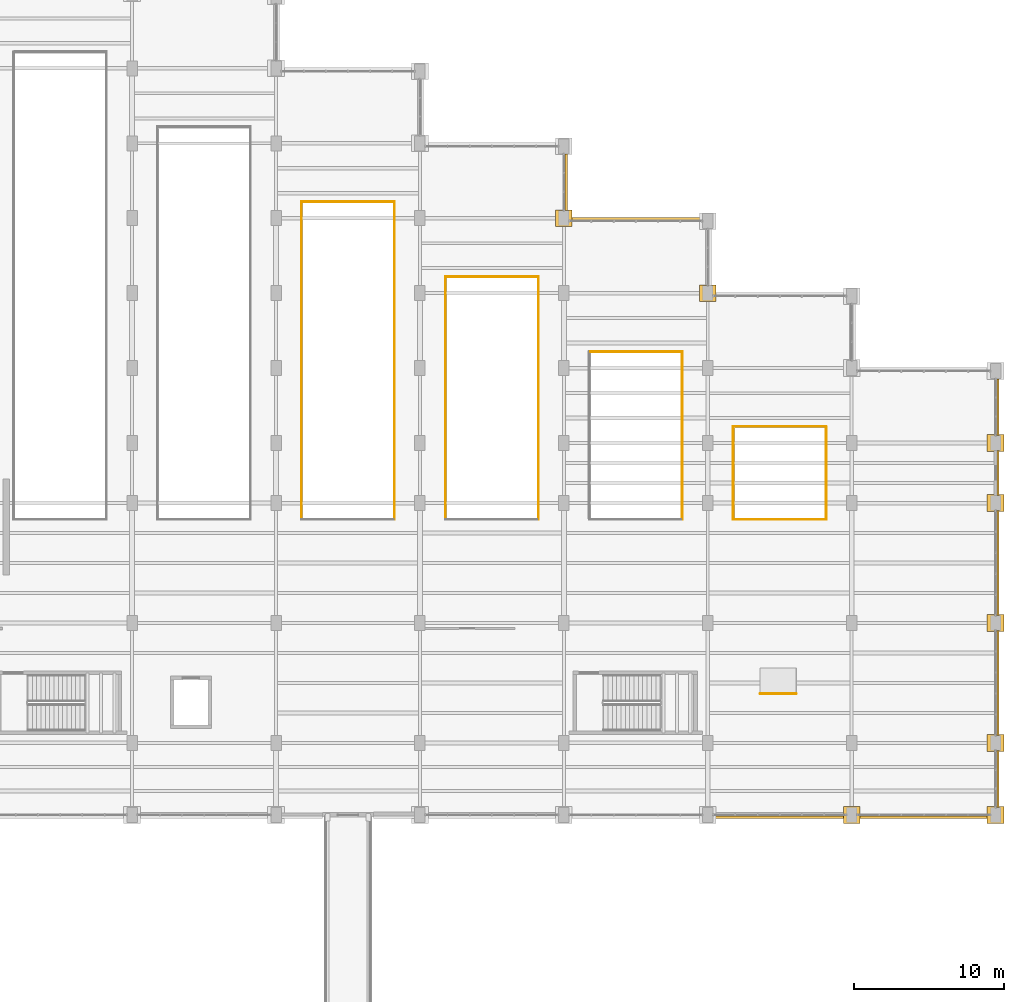
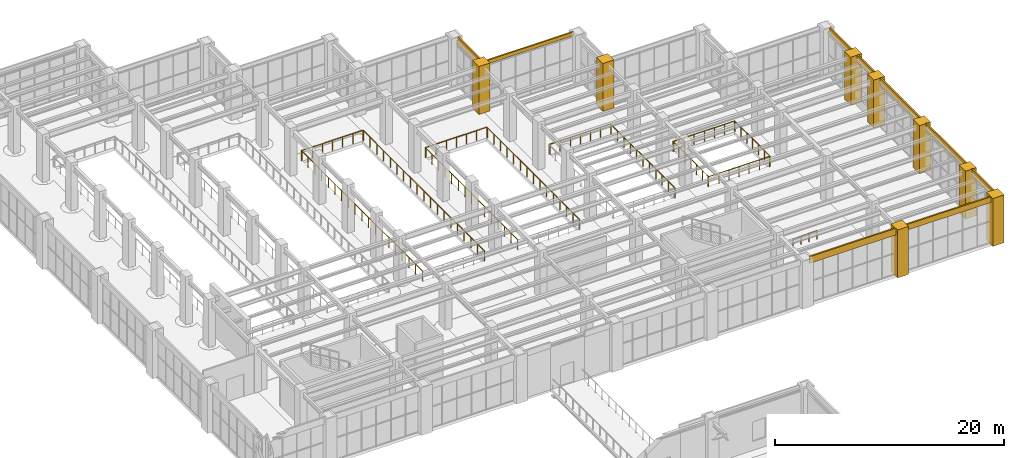
# One storey, part 173 of 174: 17 coverings, 13 railings.
"""IFC4 building model written with IfcOpenShell, lengths in metres."""

from ifc_helpers import new_model, si_unit, direction, frame, origin, origin_2d, place, context, subcontext, project, spatial, polyline, circle, outline, extrude, material, layer, layer_set, type_object, element, save


model = new_model("IFC4")

# Units and contexts
model_context = context("Model", 3, precision=1e-05, world=origin(), true_north=direction((0.0, 1.0)))
body_context = subcontext(model_context, "Body", "Model", "MODEL_VIEW")
ifc_project = project(units=[si_unit("LENGTHUNIT", "METRE"), si_unit("AREAUNIT", "SQUARE_METRE"), si_unit("VOLUMEUNIT", "CUBIC_METRE"), si_unit("PLANEANGLEUNIT", "RADIAN"), si_unit("MASSUNIT", "GRAM", prefix="KILO")], contexts=[model_context])

# Site, building, storey
site_placement = place(None, origin())
site = spatial("IfcSite", under=ifc_project, at=site_placement, CompositionType="ELEMENT")
building_placement = place(site_placement, origin())
building = spatial("IfcBuilding", under=site, at=building_placement, Name="Mavantir Sound Aquarium", CompositionType="ELEMENT")
storey_placement = place(building_placement, frame((0.0, 0.0, 5.39990234375)))
storey = spatial("IfcBuildingStorey", under=building, at=storey_placement, Name="L01", CompositionType="ELEMENT", Elevation=5.39990234375)

# Coverings
ifc_material_1 = material(Name="Honed Coral-Limestone & Glazed Terracotta Rainscreen Cladding", Category="masonry")
ifc_layer = layer(ifc_material_1, 0.06005859375, Name="Honed Coral-Limestone & Glazed Terracotta Rainscreen Cladding")
ifc_layer_set = layer_set([ifc_layer], Name="Honed Coral-Limestone & Glazed Terracotta Rainscreen Cladding")
covering_type = type_object("IfcCoveringType", Name="COV-CLAD-TC", PredefinedType="CLADDING", material=ifc_layer_set)
covering_1_placement = place(storey_placement, frame((0.0, 0.0, 4.22705078125)))
element("IfcCovering", 1, at=covering_1_placement, inside=storey, type_object=covering_type, Name="L01 Postmodern coral-limestone spandrel frieze 208", PredefinedType="CLADDING", context=body_context, shape_type="SweptSolid", body=[
    extrude(outline(polyline([(146.489990234375, 76.30810546875), (146.489990234375, 80.092041015625), (146.639892578125, 80.092041015625), (146.639892578125, 76.30810546875), (146.489990234375, 76.30810546875)])), origin(), (0.0, 0.0, 1.0), 0.873046875),
])
covering_2_placement = place(storey_placement, frame((0.0, 0.0, 4.38818359375)))
element("IfcCovering", 2, at=covering_2_placement, inside=storey, type_object=covering_type, Name="L01 Postmodern coral-limestone spandrel frieze 231", PredefinedType="CLADDING", context=body_context, shape_type="SweptSolid", body=[
    extrude(outline(polyline([(156.35791015625, 35.909912109375), (165.241943359375, 35.909912109375), (165.241943359375, 35.760009765625), (156.35791015625, 35.760009765625), (156.35791015625, 35.909912109375)])), origin(), (0.0, 0.0, 1.0), 0.7119140625),
])
covering_3_placement = place(storey_placement, frame((0.0, 0.0, 4.4931640625)))
element("IfcCovering", 3, at=covering_3_placement, inside=storey, type_object=covering_type, Name="L01 Postmodern coral-limestone spandrel frieze 232", PredefinedType="CLADDING", context=body_context, shape_type="SweptSolid", body=[
    extrude(outline(polyline([(165.9580078125, 35.909912109375), (174.842041015625, 35.909912109375), (174.842041015625, 35.760009765625), (165.9580078125, 35.760009765625), (165.9580078125, 35.909912109375)])), origin(), (0.0, 0.0, 1.0), 0.60693359375),
])
covering_4_placement = place(storey_placement, frame((0.0, 0.0, 4.343017578125)))
element("IfcCovering", 4, at=covering_4_placement, inside=storey, type_object=covering_type, Name="L01 Postmodern coral-limestone spandrel frieze 233", PredefinedType="CLADDING", context=body_context, shape_type="SweptSolid", body=[
    extrude(outline(polyline([(175.2900390625, 36.508056640625), (175.2900390625, 40.2919921875), (175.43994140625, 40.2919921875), (175.43994140625, 36.508056640625), (175.2900390625, 36.508056640625)])), origin(), (0.0, 0.0, 1.0), 0.757080078125),
])
covering_5_placement = place(storey_placement, frame((0.0, 0.0, 4.30908203125)))
element("IfcCovering", 5, at=covering_5_placement, inside=storey, type_object=covering_type, Name="L01 Postmodern coral-limestone spandrel frieze 234", PredefinedType="CLADDING", context=body_context, shape_type="SweptSolid", body=[
    extrude(outline(polyline([(175.2900390625, 41.30810546875), (175.2900390625, 48.2919921875), (175.43994140625, 48.2919921875), (175.43994140625, 41.30810546875), (175.2900390625, 41.30810546875)])), origin(), (0.0, 0.0, 1.0), 0.791015625),
])
covering_6_placement = place(storey_placement, frame((0.0, 0.0, 4.30908203125)))
element("IfcCovering", 6, at=covering_6_placement, inside=storey, type_object=covering_type, Name="L01 Postmodern coral-limestone spandrel frieze 235", PredefinedType="CLADDING", context=body_context, shape_type="SweptSolid", body=[
    extrude(outline(polyline([(175.2900390625, 49.30810546875), (175.2900390625, 56.2919921875), (175.43994140625, 56.2919921875), (175.43994140625, 49.30810546875), (175.2900390625, 49.30810546875)])), origin(), (0.0, 0.0, 1.0), 0.791015625),
])
covering_7_placement = place(storey_placement, frame((0.0, 0.0, 4.30908203125)))
element("IfcCovering", 7, at=covering_7_placement, inside=storey, type_object=covering_type, Name="L01 Postmodern coral-limestone spandrel frieze 236", PredefinedType="CLADDING", context=body_context, shape_type="SweptSolid", body=[
    extrude(outline(polyline([(175.2900390625, 57.30810546875), (175.2900390625, 60.2919921875), (175.43994140625, 60.2919921875), (175.43994140625, 57.30810546875), (175.2900390625, 57.30810546875)])), origin(), (0.0, 0.0, 1.0), 0.791015625),
])
covering_8_placement = place(storey_placement, frame((0.0, 0.0, 4.39599609375)))
element("IfcCovering", 8, at=covering_8_placement, inside=storey, type_object=covering_type, Name="L01 Postmodern coral-limestone spandrel frieze 237", PredefinedType="CLADDING", context=body_context, shape_type="SweptSolid", body=[
    extrude(outline(polyline([(175.2900390625, 61.30810546875), (175.2900390625, 65.092041015625), (175.43994140625, 65.092041015625), (175.43994140625, 61.30810546875), (175.2900390625, 61.30810546875)])), origin(), (0.0, 0.0, 1.0), 0.7041015625),
])
covering_9_placement = place(storey_placement, frame((0.0, 0.0, 4.710205078125)))
element("IfcCovering", 9, at=covering_9_placement, inside=storey, type_object=covering_type, Name="L01 Postmodern coral-limestone spandrel frieze 242", PredefinedType="CLADDING", context=body_context, shape_type="SweptSolid", body=[
    extrude(outline(polyline([(155.64208984375, 75.68994140625), (146.758056640625, 75.68994140625), (146.758056640625, 75.840087890625), (155.64208984375, 75.840087890625), (155.64208984375, 75.68994140625)])), origin(), (0.0, 0.0, 1.0), 0.389892578125),
])
covering_10_placement = place(storey_placement, origin())
element("IfcCovering", 10, at=covering_10_placement, inside=storey, type_object=covering_type, Name="L01 Postmodern coral-limestone pilaster casing 294", PredefinedType="CLADDING", context=body_context, shape_type="SweptSolid", body=[
    extrude(outline(polyline([(145.840087890625, 75.239990234375), (146.9599609375, 75.239990234375), (146.9599609375, 76.360107421875), (145.840087890625, 76.360107421875), (145.840087890625, 75.239990234375)])), origin(), (0.0, 0.0, 1.0), 5.10009765625),
])
covering_11_placement = place(storey_placement, origin())
element("IfcCovering", 11, at=covering_11_placement, inside=storey, type_object=covering_type, Name="L01 Postmodern coral-limestone pilaster casing 306", PredefinedType="CLADDING", context=body_context, shape_type="SweptSolid", body=[
    extrude(outline(polyline([(155.43994140625, 70.239990234375), (156.56005859375, 70.239990234375), (156.56005859375, 71.360107421875), (155.43994140625, 71.360107421875), (155.43994140625, 70.239990234375)])), origin(), (0.0, 0.0, 1.0), 5.10009765625),
])
covering_12_placement = place(storey_placement, origin())
element("IfcCovering", 12, at=covering_12_placement, inside=storey, type_object=covering_type, Name="L01 Postmodern coral-limestone pilaster casing 312", PredefinedType="CLADDING", context=body_context, shape_type="SweptSolid", body=[
    extrude(outline(polyline([(165.0400390625, 35.43994140625), (166.159912109375, 35.43994140625), (166.159912109375, 36.56005859375), (165.0400390625, 36.56005859375), (165.0400390625, 35.43994140625)])), origin(), (0.0, 0.0, 1.0), 5.10009765625),
])
covering_13_placement = place(storey_placement, origin())
element("IfcCovering", 13, at=covering_13_placement, inside=storey, type_object=covering_type, Name="L01 Postmodern coral-limestone pilaster casing 324", PredefinedType="CLADDING", context=body_context, shape_type="SweptSolid", body=[
    extrude(outline(polyline([(174.639892578125, 35.43994140625), (175.760009765625, 35.43994140625), (175.760009765625, 36.56005859375), (174.639892578125, 36.56005859375), (174.639892578125, 35.43994140625)])), origin(), (0.0, 0.0, 1.0), 5.10009765625),
])
covering_14_placement = place(storey_placement, origin())
element("IfcCovering", 14, at=covering_14_placement, inside=storey, type_object=covering_type, Name="L01 Postmodern coral-limestone pilaster casing 326", PredefinedType="CLADDING", context=body_context, shape_type="SweptSolid", body=[
    extrude(outline(polyline([(174.639892578125, 40.239990234375), (175.760009765625, 40.239990234375), (175.760009765625, 41.360107421875), (174.639892578125, 41.360107421875), (174.639892578125, 40.239990234375)])), origin(), (0.0, 0.0, 1.0), 5.10009765625),
])
covering_15_placement = place(storey_placement, origin())
element("IfcCovering", 15, at=covering_15_placement, inside=storey, type_object=covering_type, Name="L01 Postmodern coral-limestone pilaster casing 330", PredefinedType="CLADDING", context=body_context, shape_type="SweptSolid", body=[
    extrude(outline(polyline([(174.639892578125, 48.239990234375), (175.760009765625, 48.239990234375), (175.760009765625, 49.360107421875), (174.639892578125, 49.360107421875), (174.639892578125, 48.239990234375)])), origin(), (0.0, 0.0, 1.0), 5.10009765625),
])
covering_16_placement = place(storey_placement, origin())
element("IfcCovering", 16, at=covering_16_placement, inside=storey, type_object=covering_type, Name="L01 Postmodern coral-limestone pilaster casing 334", PredefinedType="CLADDING", context=body_context, shape_type="SweptSolid", body=[
    extrude(outline(polyline([(174.639892578125, 56.239990234375), (175.760009765625, 56.239990234375), (175.760009765625, 57.360107421875), (174.639892578125, 57.360107421875), (174.639892578125, 56.239990234375)])), origin(), (0.0, 0.0, 1.0), 5.10009765625),
])
covering_17_placement = place(storey_placement, origin())
element("IfcCovering", 17, at=covering_17_placement, inside=storey, type_object=covering_type, Name="L01 Postmodern coral-limestone pilaster casing 338", PredefinedType="CLADDING", context=body_context, shape_type="SweptSolid", body=[
    extrude(outline(polyline([(174.639892578125, 60.239990234375), (175.760009765625, 60.239990234375), (175.760009765625, 61.360107421875), (174.639892578125, 61.360107421875), (174.639892578125, 60.239990234375)])), origin(), (0.0, 0.0, 1.0), 5.10009765625),
])

# Railings
ifc_material_2 = material(Name="Stainless Steel 316 and Laminated Glass Guardrail", Category="steel")
railing_type_1 = type_object("IfcRailingType", Name="RL-GUARD-110", PredefinedType="GUARDRAIL", material=ifc_material_2)
railing_1_placement = place(storey_placement, frame((135.10009765625, 55.699951171875, 0.0)))
element("IfcRailing", 18, at=railing_1_placement, inside=storey, type_object=railing_type_1, Name="L01 atrium void E guardrail 108", PredefinedType="GUARDRAIL", context=body_context, shape_type="SweptSolid", body=[
    extrude(circle(Radius=0.02392578125, at=origin_2d()), frame((0.0, 0.0, 1.076171875), z_axis=(0.0, 1.0, 0.0), x_axis=(-1.0, 0.0, 0.0)), (0.0, 0.0, 1.0), 21.1201171875),
    extrude(circle(Radius=0.02099609375, at=origin_2d()), origin(), (0.0, 0.0, 1.0), 1.052001953125),
    extrude(circle(Radius=0.02099609375, at=origin_2d()), frame((0.0, 1.17333984375, 0.0)), (0.0, 0.0, 1.0), 1.052001953125),
    extrude(circle(Radius=0.02099609375, at=origin_2d()), frame((0.0, 2.3466796875, 0.0)), (0.0, 0.0, 1.0), 1.052001953125),
    extrude(circle(Radius=0.02099609375, at=origin_2d()), frame((0.0, 3.52001953125, 0.0)), (0.0, 0.0, 1.0), 1.052001953125),
    extrude(circle(Radius=0.02099609375, at=origin_2d()), frame((0.0, 4.693359375, 0.0)), (0.0, 0.0, 1.0), 1.052001953125),
    extrude(circle(Radius=0.02099609375, at=origin_2d()), frame((0.0, 5.86669921875, 0.0)), (0.0, 0.0, 1.0), 1.052001953125),
    extrude(circle(Radius=0.02099609375, at=origin_2d()), frame((0.0, 7.0400390625, 0.0)), (0.0, 0.0, 1.0), 1.052001953125),
    extrude(circle(Radius=0.02099609375, at=origin_2d()), frame((0.0, 8.21337890625, 0.0)), (0.0, 0.0, 1.0), 1.052001953125),
    extrude(circle(Radius=0.02099609375, at=origin_2d()), frame((0.0, 9.38671875, 0.0)), (0.0, 0.0, 1.0), 1.052001953125),
    extrude(circle(Radius=0.02099609375, at=origin_2d()), frame((0.0, 10.56005859375, 0.0)), (0.0, 0.0, 1.0), 1.052001953125),
    extrude(circle(Radius=0.02099609375, at=origin_2d()), frame((0.0, 11.7333984375, 0.0)), (0.0, 0.0, 1.0), 1.052001953125),
    extrude(circle(Radius=0.02099609375, at=origin_2d()), frame((0.0, 12.90673828125, 0.0)), (0.0, 0.0, 1.0), 1.052001953125),
    extrude(circle(Radius=0.02099609375, at=origin_2d()), frame((0.0, 14.080078125, 0.0)), (0.0, 0.0, 1.0), 1.052001953125),
    extrude(circle(Radius=0.02099609375, at=origin_2d()), frame((0.0, 15.25341796875, 0.0)), (0.0, 0.0, 1.0), 1.052001953125),
    extrude(circle(Radius=0.02099609375, at=origin_2d()), frame((0.0, 16.4267578125, 0.0)), (0.0, 0.0, 1.0), 1.052001953125),
    extrude(circle(Radius=0.02099609375, at=origin_2d()), frame((0.0, 17.60009765625, 0.0)), (0.0, 0.0, 1.0), 1.052001953125),
    extrude(circle(Radius=0.02099609375, at=origin_2d()), frame((0.0, 18.7734375, 0.0)), (0.0, 0.0, 1.0), 1.052001953125),
    extrude(circle(Radius=0.02099609375, at=origin_2d()), frame((0.0, 19.94677734375, 0.0)), (0.0, 0.0, 1.0), 1.052001953125),
    extrude(circle(Radius=0.02099609375, at=origin_2d()), frame((0.0, 21.1201171875, 0.0)), (0.0, 0.0, 1.0), 1.052001953125),
])
railing_2_placement = place(storey_placement, frame((135.10009765625, 76.89990234375, 0.0)))
element("IfcRailing", 19, at=railing_2_placement, inside=storey, type_object=railing_type_1, Name="L01 atrium void N guardrail 109", PredefinedType="GUARDRAIL", context=body_context, shape_type="SweptSolid", body=[
    extrude(circle(Radius=0.02392578125, at=origin_2d()), frame((0.0, 0.0, 1.076171875), z_axis=(-1.0, 0.0, 0.0), x_axis=(0.0, -1.0, 0.0)), (0.0, 0.0, 1.0), 6.1201171875),
    extrude(circle(Radius=0.02099609375, at=origin_2d()), origin(), (0.0, 0.0, 1.0), 1.052001953125),
    extrude(circle(Radius=0.02099609375, at=origin_2d()), frame((-1.02001953125, 0.0, 0.0)), (0.0, 0.0, 1.0), 1.052001953125),
    extrude(circle(Radius=0.02099609375, at=origin_2d()), frame((-2.0400390625, 0.0, 0.0)), (0.0, 0.0, 1.0), 1.052001953125),
    extrude(circle(Radius=0.02099609375, at=origin_2d()), frame((-3.06005859375, 0.0, 0.0)), (0.0, 0.0, 1.0), 1.052001953125),
    extrude(circle(Radius=0.02099609375, at=origin_2d()), frame((-4.080078125, 0.0, 0.0)), (0.0, 0.0, 1.0), 1.052001953125),
    extrude(circle(Radius=0.02099609375, at=origin_2d()), frame((-5.10009765625, 0.0, 0.0)), (0.0, 0.0, 1.0), 1.052001953125),
    extrude(circle(Radius=0.02099609375, at=origin_2d()), frame((-6.1201171875, 0.0, 0.0)), (0.0, 0.0, 1.0), 1.052001953125),
])
railing_3_placement = place(storey_placement, frame((128.89990234375, 76.89990234375, 0.0)))
element("IfcRailing", 20, at=railing_3_placement, inside=storey, type_object=railing_type_1, Name="L01 atrium void W guardrail 110", PredefinedType="GUARDRAIL", context=body_context, shape_type="SweptSolid", body=[
    extrude(circle(Radius=0.02392578125, at=origin_2d()), frame((0.0, 0.0, 1.076171875), z_axis=(0.0, -1.0, 0.0), x_axis=(1.0, 0.0, 0.0)), (0.0, 0.0, 1.0), 21.119873046875),
    extrude(circle(Radius=0.02099609375, at=origin_2d()), origin(), (0.0, 0.0, 1.0), 1.052001953125),
    extrude(circle(Radius=0.02099609375, at=origin_2d()), frame((0.0, -1.17333984375, 0.0)), (0.0, 0.0, 1.0), 1.052001953125),
    extrude(circle(Radius=0.02099609375, at=origin_2d()), frame((0.0, -2.3466796875, 0.0)), (0.0, 0.0, 1.0), 1.052001953125),
    extrude(circle(Radius=0.02099609375, at=origin_2d()), frame((0.0, -3.52001953125, 0.0)), (0.0, 0.0, 1.0), 1.052001953125),
    extrude(circle(Radius=0.02099609375, at=origin_2d()), frame((0.0, -4.693359375, 0.0)), (0.0, 0.0, 1.0), 1.052001953125),
    extrude(circle(Radius=0.02099609375, at=origin_2d()), frame((0.0, -5.86669921875, 0.0)), (0.0, 0.0, 1.0), 1.052001953125),
    extrude(circle(Radius=0.02099609375, at=origin_2d()), frame((0.0, -7.0400390625, 0.0)), (0.0, 0.0, 1.0), 1.052001953125),
    extrude(circle(Radius=0.02099609375, at=origin_2d()), frame((0.0, -8.21337890625, 0.0)), (0.0, 0.0, 1.0), 1.052001953125),
    extrude(circle(Radius=0.02099609375, at=origin_2d()), frame((0.0, -9.38671875, 0.0)), (0.0, 0.0, 1.0), 1.052001953125),
    extrude(circle(Radius=0.02099609375, at=origin_2d()), frame((0.0, -10.56005859375, 0.0)), (0.0, 0.0, 1.0), 1.052001953125),
    extrude(circle(Radius=0.02099609375, at=origin_2d()), frame((0.0, -11.733154296875, 0.0)), (0.0, 0.0, 1.0), 1.052001953125),
    extrude(circle(Radius=0.02099609375, at=origin_2d()), frame((0.0, -12.906494140625, 0.0)), (0.0, 0.0, 1.0), 1.052001953125),
    extrude(circle(Radius=0.02099609375, at=origin_2d()), frame((0.0, -14.079833984375, 0.0)), (0.0, 0.0, 1.0), 1.052001953125),
    extrude(circle(Radius=0.02099609375, at=origin_2d()), frame((0.0, -15.253173828125, 0.0)), (0.0, 0.0, 1.0), 1.052001953125),
    extrude(circle(Radius=0.02099609375, at=origin_2d()), frame((0.0, -16.426513671875, 0.0)), (0.0, 0.0, 1.0), 1.052001953125),
    extrude(circle(Radius=0.02099609375, at=origin_2d()), frame((0.0, -17.599853515625, 0.0)), (0.0, 0.0, 1.0), 1.052001953125),
    extrude(circle(Radius=0.02099609375, at=origin_2d()), frame((0.0, -18.773193359375, 0.0)), (0.0, 0.0, 1.0), 1.052001953125),
    extrude(circle(Radius=0.02099609375, at=origin_2d()), frame((0.0, -19.946533203125, 0.0)), (0.0, 0.0, 1.0), 1.052001953125),
    extrude(circle(Radius=0.02099609375, at=origin_2d()), frame((0.0, -21.119873046875, 0.0)), (0.0, 0.0, 1.0), 1.052001953125),
])
railing_4_placement = place(storey_placement, frame((144.699951171875, 55.699951171875, 0.0)))
element("IfcRailing", 21, at=railing_4_placement, inside=storey, type_object=railing_type_1, Name="L01 atrium void E guardrail 112", PredefinedType="GUARDRAIL", context=body_context, shape_type="SweptSolid", body=[
    extrude(circle(Radius=0.02392578125, at=origin_2d()), frame((0.0, 0.0, 1.076171875), z_axis=(0.0, 1.0, 0.0), x_axis=(-1.0, 0.0, 0.0)), (0.0, 0.0, 1.0), 16.1201171875),
    extrude(circle(Radius=0.02099609375, at=origin_2d()), origin(), (0.0, 0.0, 1.0), 1.052001953125),
    extrude(circle(Radius=0.02099609375, at=origin_2d()), frame((0.0, 1.1513671875, 0.0)), (0.0, 0.0, 1.0), 1.052001953125),
    extrude(circle(Radius=0.02099609375, at=origin_2d()), frame((0.0, 2.302978515625, 0.0)), (0.0, 0.0, 1.0), 1.052001953125),
    extrude(circle(Radius=0.02099609375, at=origin_2d()), frame((0.0, 3.454345703125, 0.0)), (0.0, 0.0, 1.0), 1.052001953125),
    extrude(circle(Radius=0.02099609375, at=origin_2d()), frame((0.0, 4.605712890625, 0.0)), (0.0, 0.0, 1.0), 1.052001953125),
    extrude(circle(Radius=0.02099609375, at=origin_2d()), frame((0.0, 5.757080078125, 0.0)), (0.0, 0.0, 1.0), 1.052001953125),
    extrude(circle(Radius=0.02099609375, at=origin_2d()), frame((0.0, 6.90869140625, 0.0)), (0.0, 0.0, 1.0), 1.052001953125),
    extrude(circle(Radius=0.02099609375, at=origin_2d()), frame((0.0, 8.06005859375, 0.0)), (0.0, 0.0, 1.0), 1.052001953125),
    extrude(circle(Radius=0.02099609375, at=origin_2d()), frame((0.0, 9.21142578125, 0.0)), (0.0, 0.0, 1.0), 1.052001953125),
    extrude(circle(Radius=0.02099609375, at=origin_2d()), frame((0.0, 10.363037109375, 0.0)), (0.0, 0.0, 1.0), 1.052001953125),
    extrude(circle(Radius=0.02099609375, at=origin_2d()), frame((0.0, 11.514404296875, 0.0)), (0.0, 0.0, 1.0), 1.052001953125),
    extrude(circle(Radius=0.02099609375, at=origin_2d()), frame((0.0, 12.665771484375, 0.0)), (0.0, 0.0, 1.0), 1.052001953125),
    extrude(circle(Radius=0.02099609375, at=origin_2d()), frame((0.0, 13.817138671875, 0.0)), (0.0, 0.0, 1.0), 1.052001953125),
    extrude(circle(Radius=0.02099609375, at=origin_2d()), frame((0.0, 14.96875, 0.0)), (0.0, 0.0, 1.0), 1.052001953125),
    extrude(circle(Radius=0.02099609375, at=origin_2d()), frame((0.0, 16.1201171875, 0.0)), (0.0, 0.0, 1.0), 1.052001953125),
])
railing_5_placement = place(storey_placement, frame((144.699951171875, 71.89990234375, 0.0)))
element("IfcRailing", 22, at=railing_5_placement, inside=storey, type_object=railing_type_1, Name="L01 atrium void N guardrail 113", PredefinedType="GUARDRAIL", context=body_context, shape_type="SweptSolid", body=[
    extrude(circle(Radius=0.02392578125, at=origin_2d()), frame((0.0, 0.0, 1.076171875), z_axis=(-1.0, 0.0, 0.0), x_axis=(0.0, -1.0, 0.0)), (0.0, 0.0, 1.0), 6.119873046875),
    extrude(circle(Radius=0.02099609375, at=origin_2d()), origin(), (0.0, 0.0, 1.0), 1.052001953125),
    extrude(circle(Radius=0.02099609375, at=origin_2d()), frame((-1.02001953125, 0.0, 0.0)), (0.0, 0.0, 1.0), 1.052001953125),
    extrude(circle(Radius=0.02099609375, at=origin_2d()), frame((-2.0400390625, 0.0, 0.0)), (0.0, 0.0, 1.0), 1.052001953125),
    extrude(circle(Radius=0.02099609375, at=origin_2d()), frame((-3.06005859375, 0.0, 0.0)), (0.0, 0.0, 1.0), 1.052001953125),
    extrude(circle(Radius=0.02099609375, at=origin_2d()), frame((-4.079833984375, 0.0, 0.0)), (0.0, 0.0, 1.0), 1.052001953125),
    extrude(circle(Radius=0.02099609375, at=origin_2d()), frame((-5.099853515625, 0.0, 0.0)), (0.0, 0.0, 1.0), 1.052001953125),
    extrude(circle(Radius=0.02099609375, at=origin_2d()), frame((-6.119873046875, 0.0, 0.0)), (0.0, 0.0, 1.0), 1.052001953125),
])
railing_6_placement = place(storey_placement, frame((138.5, 71.89990234375, 0.0)))
element("IfcRailing", 23, at=railing_6_placement, inside=storey, type_object=railing_type_1, Name="L01 atrium void W guardrail 114", PredefinedType="GUARDRAIL", context=body_context, shape_type="SweptSolid", body=[
    extrude(circle(Radius=0.02392578125, at=origin_2d()), frame((0.0, 0.0, 1.076171875), z_axis=(0.0, -1.0, 0.0), x_axis=(1.0, 0.0, 0.0)), (0.0, 0.0, 1.0), 16.119873046875),
    extrude(circle(Radius=0.02099609375, at=origin_2d()), origin(), (0.0, 0.0, 1.0), 1.052001953125),
    extrude(circle(Radius=0.02099609375, at=origin_2d()), frame((0.0, -1.1513671875, 0.0)), (0.0, 0.0, 1.0), 1.052001953125),
    extrude(circle(Radius=0.02099609375, at=origin_2d()), frame((0.0, -2.302734375, 0.0)), (0.0, 0.0, 1.0), 1.052001953125),
    extrude(circle(Radius=0.02099609375, at=origin_2d()), frame((0.0, -3.454345703125, 0.0)), (0.0, 0.0, 1.0), 1.052001953125),
    extrude(circle(Radius=0.02099609375, at=origin_2d()), frame((0.0, -4.605712890625, 0.0)), (0.0, 0.0, 1.0), 1.052001953125),
    extrude(circle(Radius=0.02099609375, at=origin_2d()), frame((0.0, -5.757080078125, 0.0)), (0.0, 0.0, 1.0), 1.052001953125),
    extrude(circle(Radius=0.02099609375, at=origin_2d()), frame((0.0, -6.908447265625, 0.0)), (0.0, 0.0, 1.0), 1.052001953125),
    extrude(circle(Radius=0.02099609375, at=origin_2d()), frame((0.0, -8.06005859375, 0.0)), (0.0, 0.0, 1.0), 1.052001953125),
    extrude(circle(Radius=0.02099609375, at=origin_2d()), frame((0.0, -9.21142578125, 0.0)), (0.0, 0.0, 1.0), 1.052001953125),
    extrude(circle(Radius=0.02099609375, at=origin_2d()), frame((0.0, -10.36279296875, 0.0)), (0.0, 0.0, 1.0), 1.052001953125),
    extrude(circle(Radius=0.02099609375, at=origin_2d()), frame((0.0, -11.51416015625, 0.0)), (0.0, 0.0, 1.0), 1.052001953125),
    extrude(circle(Radius=0.02099609375, at=origin_2d()), frame((0.0, -12.66552734375, 0.0)), (0.0, 0.0, 1.0), 1.052001953125),
    extrude(circle(Radius=0.02099609375, at=origin_2d()), frame((0.0, -13.817138671875, 0.0)), (0.0, 0.0, 1.0), 1.052001953125),
    extrude(circle(Radius=0.02099609375, at=origin_2d()), frame((0.0, -14.968505859375, 0.0)), (0.0, 0.0, 1.0), 1.052001953125),
    extrude(circle(Radius=0.02099609375, at=origin_2d()), frame((0.0, -16.119873046875, 0.0)), (0.0, 0.0, 1.0), 1.052001953125),
])
railing_7_placement = place(storey_placement, frame((154.300048828125, 55.699951171875, 0.0)))
element("IfcRailing", 24, at=railing_7_placement, inside=storey, type_object=railing_type_1, Name="L01 atrium void E guardrail 116", PredefinedType="GUARDRAIL", context=body_context, shape_type="SweptSolid", body=[
    extrude(circle(Radius=0.02392578125, at=origin_2d()), frame((0.0, 0.0, 1.076171875), z_axis=(0.0, 1.0, 0.0), x_axis=(-1.0, 0.0, 0.0)), (0.0, 0.0, 1.0), 11.1201171875),
    extrude(circle(Radius=0.02099609375, at=origin_2d()), origin(), (0.0, 0.0, 1.0), 1.052001953125),
    extrude(circle(Radius=0.02099609375, at=origin_2d()), frame((0.0, 1.112060546875, 0.0)), (0.0, 0.0, 1.0), 1.052001953125),
    extrude(circle(Radius=0.02099609375, at=origin_2d()), frame((0.0, 2.22412109375, 0.0)), (0.0, 0.0, 1.0), 1.052001953125),
    extrude(circle(Radius=0.02099609375, at=origin_2d()), frame((0.0, 3.3359375, 0.0)), (0.0, 0.0, 1.0), 1.052001953125),
    extrude(circle(Radius=0.02099609375, at=origin_2d()), frame((0.0, 4.447998046875, 0.0)), (0.0, 0.0, 1.0), 1.052001953125),
    extrude(circle(Radius=0.02099609375, at=origin_2d()), frame((0.0, 5.56005859375, 0.0)), (0.0, 0.0, 1.0), 1.052001953125),
    extrude(circle(Radius=0.02099609375, at=origin_2d()), frame((0.0, 6.672119140625, 0.0)), (0.0, 0.0, 1.0), 1.052001953125),
    extrude(circle(Radius=0.02099609375, at=origin_2d()), frame((0.0, 7.7841796875, 0.0)), (0.0, 0.0, 1.0), 1.052001953125),
    extrude(circle(Radius=0.02099609375, at=origin_2d()), frame((0.0, 8.89599609375, 0.0)), (0.0, 0.0, 1.0), 1.052001953125),
    extrude(circle(Radius=0.02099609375, at=origin_2d()), frame((0.0, 10.008056640625, 0.0)), (0.0, 0.0, 1.0), 1.052001953125),
    extrude(circle(Radius=0.02099609375, at=origin_2d()), frame((0.0, 11.1201171875, 0.0)), (0.0, 0.0, 1.0), 1.052001953125),
])
railing_8_placement = place(storey_placement, frame((154.300048828125, 66.89990234375, 0.0)))
element("IfcRailing", 25, at=railing_8_placement, inside=storey, type_object=railing_type_1, Name="L01 atrium void N guardrail 117", PredefinedType="GUARDRAIL", context=body_context, shape_type="SweptSolid", body=[
    extrude(circle(Radius=0.02392578125, at=origin_2d()), frame((0.0, 0.0, 1.076171875), z_axis=(-1.0, 0.0, 0.0), x_axis=(0.0, -1.0, 0.0)), (0.0, 0.0, 1.0), 6.1201171875),
    extrude(circle(Radius=0.02099609375, at=origin_2d()), origin(), (0.0, 0.0, 1.0), 1.052001953125),
    extrude(circle(Radius=0.02099609375, at=origin_2d()), frame((-1.02001953125, 0.0, 0.0)), (0.0, 0.0, 1.0), 1.052001953125),
    extrude(circle(Radius=0.02099609375, at=origin_2d()), frame((-2.0400390625, 0.0, 0.0)), (0.0, 0.0, 1.0), 1.052001953125),
    extrude(circle(Radius=0.02099609375, at=origin_2d()), frame((-3.06005859375, 0.0, 0.0)), (0.0, 0.0, 1.0), 1.052001953125),
    extrude(circle(Radius=0.02099609375, at=origin_2d()), frame((-4.080078125, 0.0, 0.0)), (0.0, 0.0, 1.0), 1.052001953125),
    extrude(circle(Radius=0.02099609375, at=origin_2d()), frame((-5.10009765625, 0.0, 0.0)), (0.0, 0.0, 1.0), 1.052001953125),
    extrude(circle(Radius=0.02099609375, at=origin_2d()), frame((-6.1201171875, 0.0, 0.0)), (0.0, 0.0, 1.0), 1.052001953125),
])
railing_9_placement = place(storey_placement, frame((157.699951171875, 55.699951171875, 0.0)))
element("IfcRailing", 26, at=railing_9_placement, inside=storey, type_object=railing_type_1, Name="L01 atrium void S guardrail 119", PredefinedType="GUARDRAIL", context=body_context, shape_type="SweptSolid", body=[
    extrude(circle(Radius=0.02392578125, at=origin_2d()), frame((0.0, 0.0, 1.076171875), z_axis=(1.0, 0.0, 0.0), x_axis=(0.0, 1.0, 0.0)), (0.0, 0.0, 1.0), 6.1201171875),
    extrude(circle(Radius=0.02099609375, at=origin_2d()), origin(), (0.0, 0.0, 1.0), 1.052001953125),
    extrude(circle(Radius=0.02099609375, at=origin_2d()), frame((1.02001953125, 0.0, 0.0)), (0.0, 0.0, 1.0), 1.052001953125),
    extrude(circle(Radius=0.02099609375, at=origin_2d()), frame((2.0400390625, 0.0, 0.0)), (0.0, 0.0, 1.0), 1.052001953125),
    extrude(circle(Radius=0.02099609375, at=origin_2d()), frame((3.06005859375, 0.0, 0.0)), (0.0, 0.0, 1.0), 1.052001953125),
    extrude(circle(Radius=0.02099609375, at=origin_2d()), frame((4.080078125, 0.0, 0.0)), (0.0, 0.0, 1.0), 1.052001953125),
    extrude(circle(Radius=0.02099609375, at=origin_2d()), frame((5.10009765625, 0.0, 0.0)), (0.0, 0.0, 1.0), 1.052001953125),
    extrude(circle(Radius=0.02099609375, at=origin_2d()), frame((6.1201171875, 0.0, 0.0)), (0.0, 0.0, 1.0), 1.052001953125),
])
railing_10_placement = place(storey_placement, frame((163.89990234375, 55.699951171875, 0.0)))
element("IfcRailing", 27, at=railing_10_placement, inside=storey, type_object=railing_type_1, Name="L01 atrium void E guardrail 120", PredefinedType="GUARDRAIL", context=body_context, shape_type="SweptSolid", body=[
    extrude(circle(Radius=0.02392578125, at=origin_2d()), frame((0.0, 0.0, 1.076171875), z_axis=(0.0, 1.0, 0.0), x_axis=(-1.0, 0.0, 0.0)), (0.0, 0.0, 1.0), 6.1201171875),
    extrude(circle(Radius=0.02099609375, at=origin_2d()), origin(), (0.0, 0.0, 1.0), 1.052001953125),
    extrude(circle(Radius=0.02099609375, at=origin_2d()), frame((0.0, 1.02001953125, 0.0)), (0.0, 0.0, 1.0), 1.052001953125),
    extrude(circle(Radius=0.02099609375, at=origin_2d()), frame((0.0, 2.0400390625, 0.0)), (0.0, 0.0, 1.0), 1.052001953125),
    extrude(circle(Radius=0.02099609375, at=origin_2d()), frame((0.0, 3.06005859375, 0.0)), (0.0, 0.0, 1.0), 1.052001953125),
    extrude(circle(Radius=0.02099609375, at=origin_2d()), frame((0.0, 4.080078125, 0.0)), (0.0, 0.0, 1.0), 1.052001953125),
    extrude(circle(Radius=0.02099609375, at=origin_2d()), frame((0.0, 5.10009765625, 0.0)), (0.0, 0.0, 1.0), 1.052001953125),
    extrude(circle(Radius=0.02099609375, at=origin_2d()), frame((0.0, 6.1201171875, 0.0)), (0.0, 0.0, 1.0), 1.052001953125),
])
railing_11_placement = place(storey_placement, frame((163.89990234375, 61.89990234375, 0.0)))
element("IfcRailing", 28, at=railing_11_placement, inside=storey, type_object=railing_type_1, Name="L01 atrium void N guardrail 121", PredefinedType="GUARDRAIL", context=body_context, shape_type="SweptSolid", body=[
    extrude(circle(Radius=0.02392578125, at=origin_2d()), frame((0.0, 0.0, 1.076171875), z_axis=(-1.0, 0.0, 0.0), x_axis=(0.0, -1.0, 0.0)), (0.0, 0.0, 1.0), 6.119873046875),
    extrude(circle(Radius=0.02099609375, at=origin_2d()), origin(), (0.0, 0.0, 1.0), 1.052001953125),
    extrude(circle(Radius=0.02099609375, at=origin_2d()), frame((-1.02001953125, 0.0, 0.0)), (0.0, 0.0, 1.0), 1.052001953125),
    extrude(circle(Radius=0.02099609375, at=origin_2d()), frame((-2.0400390625, 0.0, 0.0)), (0.0, 0.0, 1.0), 1.052001953125),
    extrude(circle(Radius=0.02099609375, at=origin_2d()), frame((-3.06005859375, 0.0, 0.0)), (0.0, 0.0, 1.0), 1.052001953125),
    extrude(circle(Radius=0.02099609375, at=origin_2d()), frame((-4.079833984375, 0.0, 0.0)), (0.0, 0.0, 1.0), 1.052001953125),
    extrude(circle(Radius=0.02099609375, at=origin_2d()), frame((-5.099853515625, 0.0, 0.0)), (0.0, 0.0, 1.0), 1.052001953125),
    extrude(circle(Radius=0.02099609375, at=origin_2d()), frame((-6.119873046875, 0.0, 0.0)), (0.0, 0.0, 1.0), 1.052001953125),
])
railing_12_placement = place(storey_placement, frame((157.699951171875, 61.89990234375, 0.0)))
element("IfcRailing", 29, at=railing_12_placement, inside=storey, type_object=railing_type_1, Name="L01 atrium void W guardrail 122", PredefinedType="GUARDRAIL", context=body_context, shape_type="SweptSolid", body=[
    extrude(circle(Radius=0.02392578125, at=origin_2d()), frame((0.0, 0.0, 1.076171875), z_axis=(0.0, -1.0, 0.0), x_axis=(1.0, 0.0, 0.0)), (0.0, 0.0, 1.0), 6.119873046875),
    extrude(circle(Radius=0.02099609375, at=origin_2d()), origin(), (0.0, 0.0, 1.0), 1.052001953125),
    extrude(circle(Radius=0.02099609375, at=origin_2d()), frame((0.0, -1.02001953125, 0.0)), (0.0, 0.0, 1.0), 1.052001953125),
    extrude(circle(Radius=0.02099609375, at=origin_2d()), frame((0.0, -2.0400390625, 0.0)), (0.0, 0.0, 1.0), 1.052001953125),
    extrude(circle(Radius=0.02099609375, at=origin_2d()), frame((0.0, -3.06005859375, 0.0)), (0.0, 0.0, 1.0), 1.052001953125),
    extrude(circle(Radius=0.02099609375, at=origin_2d()), frame((0.0, -4.079833984375, 0.0)), (0.0, 0.0, 1.0), 1.052001953125),
    extrude(circle(Radius=0.02099609375, at=origin_2d()), frame((0.0, -5.099853515625, 0.0)), (0.0, 0.0, 1.0), 1.052001953125),
    extrude(circle(Radius=0.02099609375, at=origin_2d()), frame((0.0, -6.119873046875, 0.0)), (0.0, 0.0, 1.0), 1.052001953125),
])
ifc_material_3 = material(Name="Brushed Stainless Steel 316 Handrail", Category="steel")
railing_type_2 = type_object("IfcRailingType", Name="RL-HR-90", PredefinedType="HANDRAIL", material=ifc_material_3)
railing_13_placement = place(storey_placement, frame((159.5, 44.080078125, -0.059814453125)))
element("IfcRailing", 30, at=railing_13_placement, inside=storey, type_object=railing_type_2, Name="L01 accessible ramp handrail 5", PredefinedType="HANDRAIL", context=body_context, shape_type="SweptSolid", body=[
    extrude(circle(Radius=0.02392578125, at=origin_2d()), frame((0.0, 0.0, 0.89111328125), z_axis=(0.999689549145, 0.0, 0.024915965365), x_axis=(0.0, 1.0, 0.0)), (0.0, 0.0, 1.0), 2.400634765625),
    extrude(circle(Radius=0.02099609375, at=origin_2d()), origin(), (0.0, 0.0, 1.0), 0.866943359375),
    extrude(circle(Radius=0.02099609375, at=origin_2d()), frame((0.800048828125, 0.0, 0.02001953125)), (0.0, 0.0, 1.0), 0.866943359375),
    extrude(circle(Radius=0.02099609375, at=origin_2d()), frame((1.599853515625, 0.0, 0.039794921875)), (0.0, 0.0, 1.0), 0.866943359375),
    extrude(circle(Radius=0.02099609375, at=origin_2d()), frame((2.39990234375, 0.0, 0.059814453125)), (0.0, 0.0, 1.0), 0.866943359375),
])

save(model, "model.ifc")
